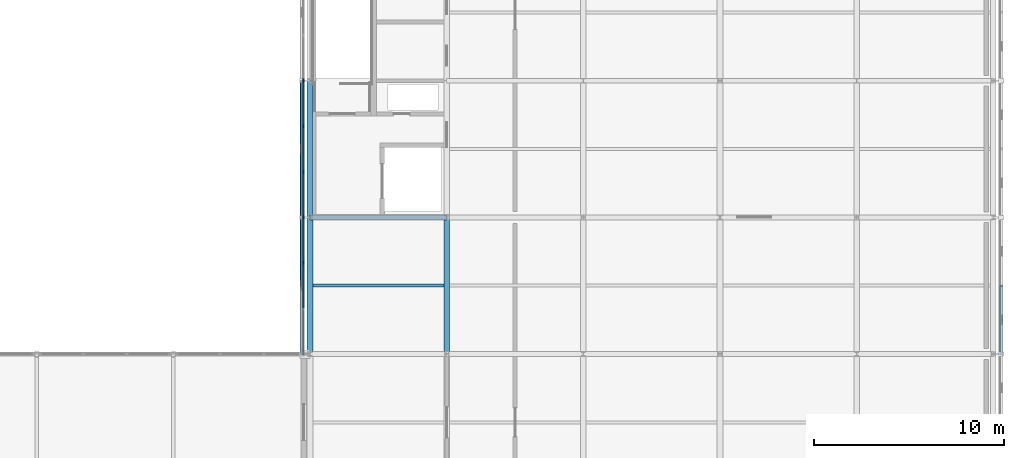
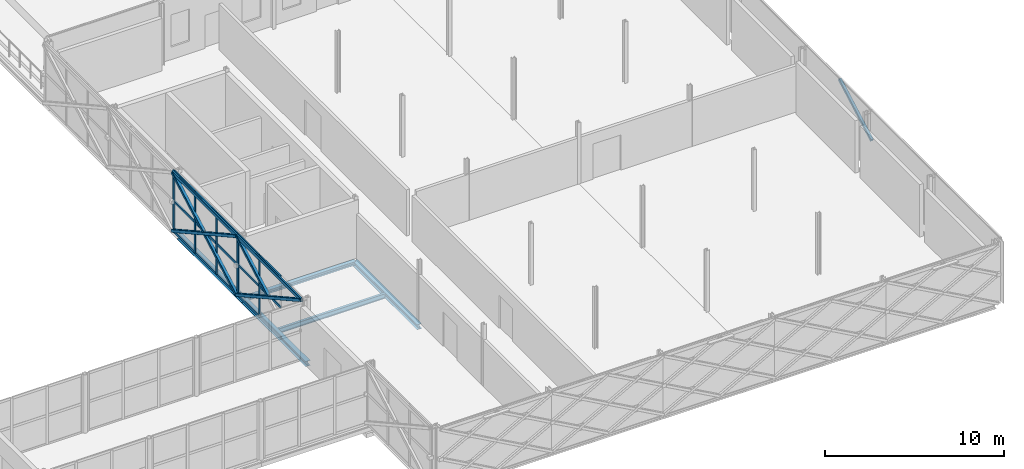
# One storey, part 60 of 126: 30 members, 5 beams, 3 elements without a shape of their own.
"""IFC4 building model written with IfcOpenShell, lengths in metres."""

from ifc_helpers import new_model, si_unit, direction, frame, origin, origin_2d, place, context, subcontext, project, spatial, rectangle, hollow_rectangle, i_section, extrude, material, material_profile, profile_set, type_object, element, aggregate, save


model = new_model("IFC4")

# Units and contexts
model_context = context("Model", 3, precision=1e-05, world=origin(), true_north=direction((0.0, 1.0)))
body_context = subcontext(model_context, "Body", "Model", "MODEL_VIEW")
ifc_project = project(units=[si_unit("LENGTHUNIT", "METRE"), si_unit("AREAUNIT", "SQUARE_METRE"), si_unit("VOLUMEUNIT", "CUBIC_METRE"), si_unit("PLANEANGLEUNIT", "RADIAN"), si_unit("MASSUNIT", "GRAM", prefix="KILO")], contexts=[model_context])

# Site, building, storey
site_placement = place(None, origin())
site = spatial("IfcSite", under=ifc_project, at=site_placement, CompositionType="ELEMENT")
building_placement = place(site_placement, origin())
building = spatial("IfcBuilding", under=site, at=building_placement, Name="Zlatovets Crest Museum", CompositionType="ELEMENT")
storey_placement = place(building_placement, frame((0.0, 0.0, 8.699951171875)))
storey = spatial("IfcBuildingStorey", under=building, at=storey_placement, Name="L02", CompositionType="ELEMENT", Elevation=8.699951171875)

# Beams
ifc_material_1 = material(Name="Structural steel S355J2", Category="steel")
ifc_material_profile_1 = material_profile(ifc_material_1, i_section(OverallWidth=0.300048828125, OverallDepth=0.35009765625, WebThickness=0.010009765625, FlangeThickness=0.017578125, FilletRadius=0.027099609375, at=origin_2d()), Name="HEA 360")
ifc_profile_set_1 = profile_set([ifc_material_profile_1], Name="Structural steel S355J2")
beam_type_1 = type_object("IfcBeamType", Name="Beam_B-03", PredefinedType="BEAM", material=ifc_profile_set_1)
for number, where, z_axis, x_axis, name in (
    (1, (129.60009765625, 28.800048828125, -0.39501953125), (0.0, 1.0, 0.0), (-1.0, 0.0, 0.0), "V5 L02 Grid Beam B-03"),
    (2, (129.60009765625, 36.0, -0.39501953125), (0.0, 1.0, 0.0), (-1.0, 0.0, 0.0), "V5 L02 Grid Beam B-03"),
    (3, (136.800048828125, 28.800048828125, -0.39501953125), (0.0, 1.0, 0.0), (-1.0, 0.0, 0.0), "V5 L02 Grid Beam B-03"),
):
    element("IfcBeam", number, at=place(storey_placement, frame(where, z_axis=z_axis, x_axis=x_axis)), inside=storey, type_object=beam_type_1, Name=name, PredefinedType="BEAM", context=body_context, shape_type="SweptSolid", body=[
        extrude(i_section(OverallWidth=0.300048828125, OverallDepth=0.35009765625, WebThickness=0.010009765625, FlangeThickness=0.017578125, FilletRadius=0.027099609375, at=origin_2d()), origin(), (0.0, 0.0, 1.0), 7.199951171875),
    ])
ifc_material_profile_2 = material_profile(ifc_material_1, i_section(OverallWidth=0.260009765625, OverallDepth=0.25, WebThickness=0.007568359375, FlangeThickness=0.012451171875, FilletRadius=0.02392578125, at=origin_2d()), Name="HEA 260")
ifc_profile_set_2 = profile_set([ifc_material_profile_2], Name="Structural steel S355J2")
beam_type_2 = type_object("IfcBeamType", Name="Beam_B-13", PredefinedType="BEAM", material=ifc_profile_set_2)
beam_1_placement = place(storey_placement, frame((129.60009765625, 36.0, -0.344970703125), z_axis=(1.0, 0.0, 0.0), x_axis=(0.0, 1.0, 0.0)))
element("IfcBeam", 4, at=beam_1_placement, inside=storey, type_object=beam_type_2, Name="V5 L02 Primary Girder B-13", PredefinedType="BEAM", context=body_context, shape_type="SweptSolid", body=[
    extrude(i_section(OverallWidth=0.260009765625, OverallDepth=0.25, WebThickness=0.007568359375, FlangeThickness=0.012451171875, FilletRadius=0.02392578125, at=origin_2d()), origin(), (0.0, 0.0, 1.0), 7.199951171875),
])
ifc_material_profile_3 = material_profile(ifc_material_1, i_section(OverallWidth=0.159912109375, OverallDepth=0.330078125, WebThickness=0.007568359375, FlangeThickness=0.011474609375, FilletRadius=0.01806640625, at=origin_2d()), Name="IPE 330")
ifc_profile_set_3 = profile_set([ifc_material_profile_3], Name="Structural steel S355J2")
beam_type_3 = type_object("IfcBeamType", Name="Beam_J-09", PredefinedType="JOIST", material=ifc_profile_set_3)
beam_2_placement = place(storey_placement, frame((129.75, 32.39990234375, -0.385009765625), z_axis=(1.0, 0.0, 0.0), x_axis=(0.0, 1.0, 0.0)))
element("IfcBeam", 5, at=beam_2_placement, inside=storey, type_object=beam_type_3, Name="V5 L02 Composite Joist J-09", PredefinedType="JOIST", context=body_context, shape_type="SweptSolid", body=[
    extrude(i_section(OverallWidth=0.159912109375, OverallDepth=0.330078125, WebThickness=0.007568359375, FlangeThickness=0.011474609375, FilletRadius=0.01806640625, at=origin_2d()), origin(), (0.0, 0.0, 1.0), 6.89990234375),
])

# Curtain wall, member
ifc_material_2 = material(Name="Bronze-anodised aluminium and low-E triple glass", Category="aluminium")
curtain_wall_type_1 = type_object("IfcCurtainWallType", Name="CW_CW-V5-L02-M1", PredefinedType="NOTDEFINED", material=ifc_material_2)
curtain_wall_1_placement = place(storey_placement, origin())
curtain_wall_1 = element("IfcCurtainWall", 6, at=curtain_wall_1_placement, inside=storey, type_object=curtain_wall_type_1, Name="V5 L02 Expressed Core Glazed Facade", PredefinedType="NOTDEFINED")
ifc_material_3 = material(Name="Bronze-anodised aluminium EN AW-6060", Category="aluminium")
ifc_material_profile_4 = material_profile(ifc_material_3, rectangle(XDim=0.080078125, YDim=0.159912109375, at=origin_2d()), Name="ALU 80x160")
ifc_profile_set_4 = profile_set([ifc_material_profile_4], Name="Bronze-anodised aluminium EN AW-6060")
member_type_1 = type_object("IfcMemberType", Name="CWMull_M1", PredefinedType="MULLION", material=ifc_profile_set_4)
member_1_placement = place(storey_placement, frame((129.260009765625, 43.22998046875, 0.0), z_axis=(0.0, 0.0, 1.0), x_axis=(1.0, 0.0, 0.0)))
member_1 = element("IfcMember", 7, at=member_1_placement, type_object=member_type_1, Name="CW-V5-L02-M1 mullion 4", PredefinedType="MULLION", context=body_context, shape_type="SweptSolid", body=[
    extrude(rectangle(XDim=0.080078125, YDim=0.159912109375, at=origin_2d()), origin(), (0.0, 0.0, 1.0), 4.199951171875),
])
aggregate(curtain_wall_1, [member_1])

# Curtain wall, members
curtain_wall_type_2 = type_object("IfcCurtainWallType", Name="CW_CW-V5-L02-M2", PredefinedType="NOTDEFINED", material=ifc_material_2)
curtain_wall_2_placement = place(storey_placement, origin())
curtain_wall_2 = element("IfcCurtainWall", 8, at=curtain_wall_2_placement, inside=storey, type_object=curtain_wall_type_2, Name="V5 L02 Expressed Core Glazed Facade", PredefinedType="NOTDEFINED")
member_2_placement = place(storey_placement, frame((129.260009765625, 43.169921875, 0.0), z_axis=(0.0, 0.0, 1.0), x_axis=(1.0, 0.0, 0.0)))
member_2 = element("IfcMember", 9, at=member_2_placement, type_object=member_type_1, Name="CW-V5-L02-M2 mullion 1", PredefinedType="MULLION", context=body_context, shape_type="SweptSolid", body=[
    extrude(rectangle(XDim=0.080078125, YDim=0.159912109375, at=origin_2d()), origin(), (0.0, 0.0, 1.0), 4.199951171875),
])
member_3_placement = place(storey_placement, frame((129.260009765625, 40.800048828125, 0.0), z_axis=(0.0, 0.0, 1.0), x_axis=(1.0, 0.0, 0.0)))
member_3 = element("IfcMember", 10, at=member_3_placement, type_object=member_type_1, Name="CW-V5-L02-M2 mullion 2", PredefinedType="MULLION", context=body_context, shape_type="SweptSolid", body=[
    extrude(rectangle(XDim=0.080078125, YDim=0.159912109375, at=origin_2d()), origin(), (0.0, 0.0, 1.0), 4.199951171875),
])
member_4_placement = place(storey_placement, frame((129.260009765625, 38.39990234375, 0.0), z_axis=(0.0, 0.0, 1.0), x_axis=(1.0, 0.0, 0.0)))
member_4 = element("IfcMember", 11, at=member_4_placement, type_object=member_type_1, Name="CW-V5-L02-M2 mullion 3", PredefinedType="MULLION", context=body_context, shape_type="SweptSolid", body=[
    extrude(rectangle(XDim=0.080078125, YDim=0.159912109375, at=origin_2d()), origin(), (0.0, 0.0, 1.0), 4.199951171875),
])
member_5_placement = place(storey_placement, frame((129.260009765625, 36.030029296875, 0.0), z_axis=(0.0, 0.0, 1.0), x_axis=(1.0, 0.0, 0.0)))
member_5 = element("IfcMember", 12, at=member_5_placement, type_object=member_type_1, Name="CW-V5-L02-M2 mullion 4", PredefinedType="MULLION", context=body_context, shape_type="SweptSolid", body=[
    extrude(rectangle(XDim=0.080078125, YDim=0.159912109375, at=origin_2d()), origin(), (0.0, 0.0, 1.0), 4.199951171875),
])

curtain_wall_type_3 = type_object("IfcCurtainWallType", Name="CW_CW-V5-L02-M3", PredefinedType="NOTDEFINED", material=ifc_material_2)
curtain_wall_3_placement = place(storey_placement, origin())
curtain_wall_3 = element("IfcCurtainWall", 13, at=curtain_wall_3_placement, inside=storey, type_object=curtain_wall_type_3, Name="V5 L02 Secession Foyer Clear Curtain Wall", PredefinedType="NOTDEFINED")
member_6_placement = place(storey_placement, frame((129.260009765625, 35.969970703125, 0.0), z_axis=(0.0, 0.0, 1.0), x_axis=(1.0, 0.0, 0.0)))
member_6 = element("IfcMember", 14, at=member_6_placement, type_object=member_type_1, Name="CW-V5-L02-M3 mullion 1", PredefinedType="MULLION", context=body_context, shape_type="SweptSolid", body=[
    extrude(rectangle(XDim=0.080078125, YDim=0.159912109375, at=origin_2d()), origin(), (0.0, 0.0, 1.0), 4.199951171875),
])
member_7_placement = place(storey_placement, frame((129.260009765625, 33.60009765625, 0.0), z_axis=(0.0, 0.0, 1.0), x_axis=(1.0, 0.0, 0.0)))
member_7 = element("IfcMember", 15, at=member_7_placement, type_object=member_type_1, Name="CW-V5-L02-M3 mullion 2", PredefinedType="MULLION", context=body_context, shape_type="SweptSolid", body=[
    extrude(rectangle(XDim=0.080078125, YDim=0.159912109375, at=origin_2d()), origin(), (0.0, 0.0, 1.0), 4.199951171875),
])

# Member
ifc_material_profile_5 = material_profile(ifc_material_3, rectangle(XDim=0.080078125, YDim=0.159912109375, at=origin_2d()), Name="ALU 80x160")
ifc_profile_set_5 = profile_set([ifc_material_profile_5], Name="Bronze-anodised aluminium EN AW-6060")
member_type_2 = type_object("IfcMemberType", Name="CWTrans_T1", PredefinedType="USERDEFINED", material=ifc_profile_set_5)
member_8_placement = place(storey_placement, frame((129.260009765625, 43.139892578125, 0.030029296875), z_axis=(0.0, -1.0, 0.0), x_axis=(1.0, 0.0, 0.0)))
member_8 = element("IfcMember", 16, at=member_8_placement, type_object=member_type_2, Name="CW-V5-L02-M2 transom 1.1", ObjectType="TRANSOM", PredefinedType="USERDEFINED", context=body_context, shape_type="SweptSolid", body=[
    extrude(rectangle(XDim=0.080078125, YDim=0.159912109375, at=origin_2d()), origin(), (0.0, 0.0, 1.0), 2.309814453125),
])

member_9_placement = place(storey_placement, frame((129.260009765625, 43.139892578125, 2.10009765625), z_axis=(0.0, -1.0, 0.0), x_axis=(1.0, 0.0, 0.0)))
member_9 = element("IfcMember", 17, at=member_9_placement, type_object=member_type_2, Name="CW-V5-L02-M2 transom 1.2", ObjectType="TRANSOM", PredefinedType="USERDEFINED", context=body_context, shape_type="SweptSolid", body=[
    extrude(rectangle(XDim=0.080078125, YDim=0.159912109375, at=origin_2d()), origin(), (0.0, 0.0, 1.0), 2.309814453125),
])

member_10_placement = place(storey_placement, frame((129.260009765625, 43.139892578125, 4.170166015625), z_axis=(0.0, -1.0, 0.0), x_axis=(1.0, 0.0, 0.0)))
member_10 = element("IfcMember", 18, at=member_10_placement, type_object=member_type_2, Name="CW-V5-L02-M2 transom 1.3", ObjectType="TRANSOM", PredefinedType="USERDEFINED", context=body_context, shape_type="SweptSolid", body=[
    extrude(rectangle(XDim=0.080078125, YDim=0.159912109375, at=origin_2d()), origin(), (0.0, 0.0, 1.0), 2.309814453125),
])

member_11_placement = place(storey_placement, frame((129.260009765625, 40.77001953125, 0.030029296875), z_axis=(0.0, -1.0, 0.0), x_axis=(1.0, 0.0, 0.0)))
member_11 = element("IfcMember", 19, at=member_11_placement, type_object=member_type_2, Name="CW-V5-L02-M2 transom 2.1", ObjectType="TRANSOM", PredefinedType="USERDEFINED", context=body_context, shape_type="SweptSolid", body=[
    extrude(rectangle(XDim=0.080078125, YDim=0.159912109375, at=origin_2d()), origin(), (0.0, 0.0, 1.0), 2.340087890625),
])

member_12_placement = place(storey_placement, frame((129.260009765625, 40.77001953125, 2.10009765625), z_axis=(0.0, -1.0, 0.0), x_axis=(1.0, 0.0, 0.0)))
member_12 = element("IfcMember", 20, at=member_12_placement, type_object=member_type_2, Name="CW-V5-L02-M2 transom 2.2", ObjectType="TRANSOM", PredefinedType="USERDEFINED", context=body_context, shape_type="SweptSolid", body=[
    extrude(rectangle(XDim=0.080078125, YDim=0.159912109375, at=origin_2d()), origin(), (0.0, 0.0, 1.0), 2.340087890625),
])

member_13_placement = place(storey_placement, frame((129.260009765625, 40.77001953125, 4.170166015625), z_axis=(0.0, -1.0, 0.0), x_axis=(1.0, 0.0, 0.0)))
member_13 = element("IfcMember", 21, at=member_13_placement, type_object=member_type_2, Name="CW-V5-L02-M2 transom 2.3", ObjectType="TRANSOM", PredefinedType="USERDEFINED", context=body_context, shape_type="SweptSolid", body=[
    extrude(rectangle(XDim=0.080078125, YDim=0.159912109375, at=origin_2d()), origin(), (0.0, 0.0, 1.0), 2.340087890625),
])

member_14_placement = place(storey_placement, frame((129.260009765625, 38.3701171875, 0.030029296875), z_axis=(0.0, -1.0, 0.0), x_axis=(1.0, 0.0, 0.0)))
member_14 = element("IfcMember", 22, at=member_14_placement, type_object=member_type_2, Name="CW-V5-L02-M2 transom 3.1", ObjectType="TRANSOM", PredefinedType="USERDEFINED", context=body_context, shape_type="SweptSolid", body=[
    extrude(rectangle(XDim=0.080078125, YDim=0.159912109375, at=origin_2d()), origin(), (0.0, 0.0, 1.0), 2.31005859375),
])

member_15_placement = place(storey_placement, frame((129.260009765625, 38.3701171875, 2.10009765625), z_axis=(0.0, -1.0, 0.0), x_axis=(1.0, 0.0, 0.0)))
member_15 = element("IfcMember", 23, at=member_15_placement, type_object=member_type_2, Name="CW-V5-L02-M2 transom 3.2", ObjectType="TRANSOM", PredefinedType="USERDEFINED", context=body_context, shape_type="SweptSolid", body=[
    extrude(rectangle(XDim=0.080078125, YDim=0.159912109375, at=origin_2d()), origin(), (0.0, 0.0, 1.0), 2.31005859375),
])

member_16_placement = place(storey_placement, frame((129.260009765625, 38.3701171875, 4.170166015625), z_axis=(0.0, -1.0, 0.0), x_axis=(1.0, 0.0, 0.0)))
member_16 = element("IfcMember", 24, at=member_16_placement, type_object=member_type_2, Name="CW-V5-L02-M2 transom 3.3", ObjectType="TRANSOM", PredefinedType="USERDEFINED", context=body_context, shape_type="SweptSolid", body=[
    extrude(rectangle(XDim=0.080078125, YDim=0.159912109375, at=origin_2d()), origin(), (0.0, 0.0, 1.0), 2.31005859375),
])

aggregate(curtain_wall_2, [member_2, member_3, member_4, member_5, member_8, member_9, member_10, member_11, member_12, member_13, member_14, member_15, member_16])

member_17_placement = place(storey_placement, frame((129.260009765625, 35.93994140625, 0.030029296875), z_axis=(0.0, -1.0, 0.0), x_axis=(1.0, 0.0, 0.0)))
member_17 = element("IfcMember", 25, at=member_17_placement, type_object=member_type_2, Name="CW-V5-L02-M3 transom 1.1", ObjectType="TRANSOM", PredefinedType="USERDEFINED", context=body_context, shape_type="SweptSolid", body=[
    extrude(rectangle(XDim=0.080078125, YDim=0.159912109375, at=origin_2d()), origin(), (0.0, 0.0, 1.0), 2.31005859375),
])

member_18_placement = place(storey_placement, frame((129.260009765625, 35.93994140625, 2.10009765625), z_axis=(0.0, -1.0, 0.0), x_axis=(1.0, 0.0, 0.0)))
member_18 = element("IfcMember", 26, at=member_18_placement, type_object=member_type_2, Name="CW-V5-L02-M3 transom 1.2", ObjectType="TRANSOM", PredefinedType="USERDEFINED", context=body_context, shape_type="SweptSolid", body=[
    extrude(rectangle(XDim=0.080078125, YDim=0.159912109375, at=origin_2d()), origin(), (0.0, 0.0, 1.0), 2.31005859375),
])

member_19_placement = place(storey_placement, frame((129.260009765625, 35.93994140625, 4.170166015625), z_axis=(0.0, -1.0, 0.0), x_axis=(1.0, 0.0, 0.0)))
member_19 = element("IfcMember", 27, at=member_19_placement, type_object=member_type_2, Name="CW-V5-L02-M3 transom 1.3", ObjectType="TRANSOM", PredefinedType="USERDEFINED", context=body_context, shape_type="SweptSolid", body=[
    extrude(rectangle(XDim=0.080078125, YDim=0.159912109375, at=origin_2d()), origin(), (0.0, 0.0, 1.0), 2.31005859375),
])

member_20_placement = place(storey_placement, frame((129.260009765625, 33.570068359375, 0.030029296875), z_axis=(0.0, -1.0, 0.0), x_axis=(1.0, 0.0, 0.0)))
member_20 = element("IfcMember", 28, at=member_20_placement, type_object=member_type_2, Name="CW-V5-L02-M3 transom 2.1", ObjectType="TRANSOM", PredefinedType="USERDEFINED", context=body_context, shape_type="SweptSolid", body=[
    extrude(rectangle(XDim=0.080078125, YDim=0.159912109375, at=origin_2d()), origin(), (0.0, 0.0, 1.0), 2.340087890625),
])

member_21_placement = place(storey_placement, frame((129.260009765625, 33.570068359375, 2.10009765625), z_axis=(0.0, -1.0, 0.0), x_axis=(1.0, 0.0, 0.0)))
member_21 = element("IfcMember", 29, at=member_21_placement, type_object=member_type_2, Name="CW-V5-L02-M3 transom 2.2", ObjectType="TRANSOM", PredefinedType="USERDEFINED", context=body_context, shape_type="SweptSolid", body=[
    extrude(rectangle(XDim=0.080078125, YDim=0.159912109375, at=origin_2d()), origin(), (0.0, 0.0, 1.0), 2.340087890625),
])

member_22_placement = place(storey_placement, frame((129.260009765625, 33.570068359375, 4.170166015625), z_axis=(0.0, -1.0, 0.0), x_axis=(1.0, 0.0, 0.0)))
member_22 = element("IfcMember", 30, at=member_22_placement, type_object=member_type_2, Name="CW-V5-L02-M3 transom 2.3", ObjectType="TRANSOM", PredefinedType="USERDEFINED", context=body_context, shape_type="SweptSolid", body=[
    extrude(rectangle(XDim=0.080078125, YDim=0.159912109375, at=origin_2d()), origin(), (0.0, 0.0, 1.0), 2.340087890625),
])

aggregate(curtain_wall_3, [member_6, member_7, member_17, member_18, member_19, member_20, member_21, member_22])

# Members
ifc_material_4 = material(Name="Weathering bronze-steel S355J2W", Category="steel")
ifc_material_profile_6 = material_profile(ifc_material_4, hollow_rectangle(XDim=0.179931640625, YDim=0.179931640625, WallThickness=0.010009765625, InnerFilletRadius=0.010009765625, OuterFilletRadius=0.02001953125, at=origin_2d()), Name="SHS 180x180x10.0")
ifc_profile_set_6 = profile_set([ifc_material_profile_6], Name="Weathering bronze-steel S355J2W")
member_type_3 = type_object("IfcMemberType", Name="Lattice_XL-01", PredefinedType="BRACE", material=ifc_profile_set_6)
member_23_placement = place(storey_placement, frame((166.02001953125, 28.800048828125, 2.10009765625), z_axis=(0.0, 0.874148886685, 0.485658031857), x_axis=(-1.0, 0.0, 0.0)))
element("IfcMember", 31, at=member_23_placement, inside=storey, type_object=member_type_3, Name="Continuous Bronze Lattice Diagonal", PredefinedType="BRACE", context=body_context, shape_type="SweptSolid", body=[
    extrude(hollow_rectangle(XDim=0.179931640625, YDim=0.179931640625, WallThickness=0.010009765625, InnerFilletRadius=0.010009765625, OuterFilletRadius=0.02001953125, at=origin_2d()), origin(), (0.0, 0.0, 1.0), 4.1181640625),
])
ifc_material_profile_7 = material_profile(ifc_material_4, hollow_rectangle(XDim=0.199951171875, YDim=0.199951171875, WallThickness=0.012451171875, InnerFilletRadius=0.012451171875, OuterFilletRadius=0.02490234375, at=origin_2d()), Name="SHS 200x200x12.5")
ifc_profile_set_7 = profile_set([ifc_material_profile_7], Name="Weathering bronze-steel S355J2W")
member_type_4 = type_object("IfcMemberType", Name="Lattice_XL-02", PredefinedType="BRACE", material=ifc_profile_set_7)
member_24_placement = place(storey_placement, frame((129.179931640625, 43.199951171875, 0.10009765625), z_axis=(0.0, -0.874155877937, 0.485645447903), x_axis=(1.0, 0.0, 0.0)))
element("IfcMember", 32, at=member_24_placement, inside=storey, type_object=member_type_4, Name="Continuous Bronze Lattice Diagonal", PredefinedType="BRACE", context=body_context, shape_type="SweptSolid", body=[
    extrude(hollow_rectangle(XDim=0.199951171875, YDim=0.199951171875, WallThickness=0.012451171875, InnerFilletRadius=0.012451171875, OuterFilletRadius=0.02490234375, at=origin_2d()), origin(), (0.0, 0.0, 1.0), 8.236572265625),
])
member_25_placement = place(storey_placement, frame((129.179931640625, 43.199951171875, 4.10009765625), z_axis=(0.0, -0.874151551165, -0.485653235958), x_axis=(1.0, 0.0, 0.0)))
element("IfcMember", 33, at=member_25_placement, inside=storey, type_object=member_type_4, Name="Split Crossing Bronze Lattice Diagonal Upper", PredefinedType="BRACE", context=body_context, shape_type="SweptSolid", body=[
    extrude(hollow_rectangle(XDim=0.199951171875, YDim=0.199951171875, WallThickness=0.012451171875, InnerFilletRadius=0.012451171875, OuterFilletRadius=0.02490234375, at=origin_2d()), origin(), (0.0, 0.0, 1.0), 4.023193359375),
])
member_26_placement = place(storey_placement, frame((129.179931640625, 39.51708984375, 2.053955078125), z_axis=(0.0, -0.874165862873, -0.485627474703), x_axis=(1.0, 0.0, 0.0)))
element("IfcMember", 34, at=member_26_placement, inside=storey, type_object=member_type_4, Name="Split Crossing Bronze Lattice Diagonal Lower", PredefinedType="BRACE", context=body_context, shape_type="SweptSolid", body=[
    extrude(hollow_rectangle(XDim=0.199951171875, YDim=0.199951171875, WallThickness=0.012451171875, InnerFilletRadius=0.012451171875, OuterFilletRadius=0.02490234375, at=origin_2d()), origin(), (0.0, 0.0, 1.0), 4.0234375),
])
member_27_placement = place(storey_placement, frame((129.179931640625, 36.0, 0.10009765625), z_axis=(0.0, -0.874155877937, 0.485645447903), x_axis=(1.0, 0.0, 0.0)))
element("IfcMember", 35, at=member_27_placement, inside=storey, type_object=member_type_4, Name="Continuous Bronze Lattice Diagonal", PredefinedType="BRACE", context=body_context, shape_type="SweptSolid", body=[
    extrude(hollow_rectangle(XDim=0.199951171875, YDim=0.199951171875, WallThickness=0.012451171875, InnerFilletRadius=0.012451171875, OuterFilletRadius=0.02490234375, at=origin_2d()), origin(), (0.0, 0.0, 1.0), 8.236572265625),
])
member_28_placement = place(storey_placement, frame((129.179931640625, 36.0, 4.10009765625), z_axis=(0.0, -0.874165862873, -0.485627474703), x_axis=(1.0, 0.0, 0.0)))
element("IfcMember", 36, at=member_28_placement, inside=storey, type_object=member_type_4, Name="Split Crossing Bronze Lattice Diagonal Upper", PredefinedType="BRACE", context=body_context, shape_type="SweptSolid", body=[
    extrude(hollow_rectangle(XDim=0.199951171875, YDim=0.199951171875, WallThickness=0.012451171875, InnerFilletRadius=0.012451171875, OuterFilletRadius=0.02490234375, at=origin_2d()), origin(), (0.0, 0.0, 1.0), 4.0234375),
])
ifc_material_profile_8 = material_profile(ifc_material_4, hollow_rectangle(XDim=0.1201171875, YDim=0.239990234375, WallThickness=0.010009765625, InnerFilletRadius=0.010009765625, OuterFilletRadius=0.02001953125, at=origin_2d()), Name="RHS 120x240x10.0")
ifc_profile_set_8 = profile_set([ifc_material_profile_8], Name="Weathering bronze-steel S355J2W")
member_type_5 = type_object("IfcMemberType", Name="Lattice_XL-04", PredefinedType="CHORD", material=ifc_profile_set_8)
for number, where, z_axis, x_axis, name in (
    (37, (129.179931640625, 43.199951171875, 4.10009765625), (0.0, -1.0, 0.0), (1.0, 0.0, 0.0), "Art Nouveau Woven Cage Collector Ring Chord"),
    (38, (129.179931640625, 36.0, 4.10009765625), (0.0, -1.0, 0.0), (1.0, 0.0, 0.0), "Art Nouveau Woven Cage Collector Ring Chord"),
):
    element("IfcMember", number, at=place(storey_placement, frame(where, z_axis=z_axis, x_axis=x_axis)), inside=storey, type_object=member_type_5, Name=name, PredefinedType="CHORD", context=body_context, shape_type="SweptSolid", body=[
        extrude(hollow_rectangle(XDim=0.1201171875, YDim=0.239990234375, WallThickness=0.010009765625, InnerFilletRadius=0.010009765625, OuterFilletRadius=0.02001953125, at=origin_2d()), origin(), (0.0, 0.0, 1.0), 7.199951171875),
    ])

save(model, "model.ifc")
